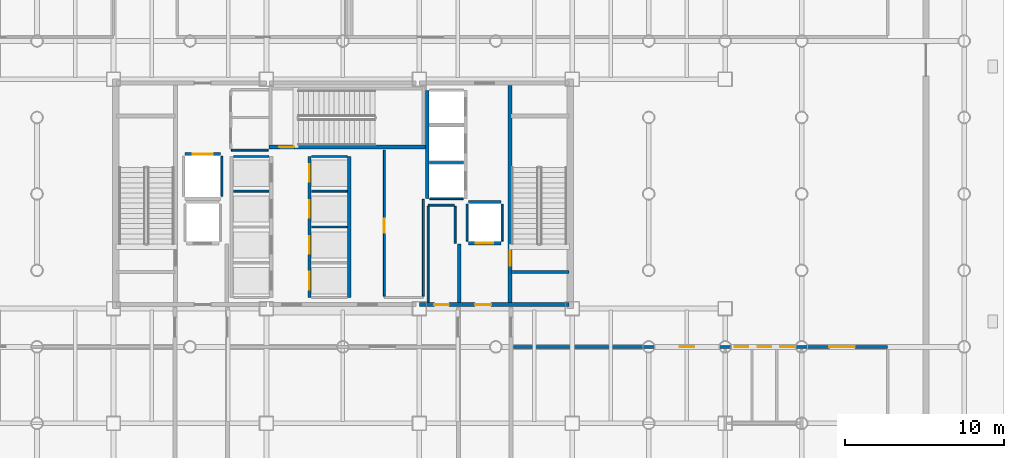
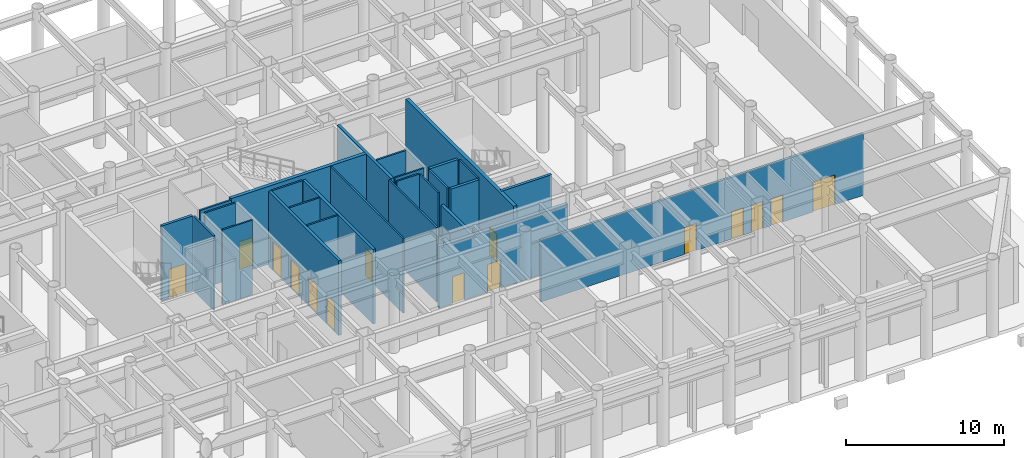
# One storey, part 17 of 23: 28 walls, 16 doors, 16 openings.
"""IFC4 building model written with IfcOpenShell, lengths in metres."""

from ifc_helpers import new_model, si_unit, direction, frame, frame_2d, origin, place, context, subcontext, project, spatial, rectangle, extrude, material, layer, layer_set, type_object, element, fill, save


model = new_model("IFC4")

# Units and contexts
model_context = context("Model", 3, precision=1e-05, world=origin(), true_north=direction((0.0, 1.0)))
body_context = subcontext(model_context, "Body", "Model", "MODEL_VIEW")
ifc_project = project(units=[si_unit("LENGTHUNIT", "METRE"), si_unit("AREAUNIT", "SQUARE_METRE"), si_unit("VOLUMEUNIT", "CUBIC_METRE"), si_unit("PLANEANGLEUNIT", "RADIAN"), si_unit("MASSUNIT", "GRAM", prefix="KILO")], contexts=[model_context])

# Site, building, storey
site_placement = place(None, origin())
site = spatial("IfcSite", under=ifc_project, at=site_placement, CompositionType="ELEMENT")
building_placement = place(site_placement, origin())
building = spatial("IfcBuilding", under=site, at=building_placement, Name="Kallvorn Hotel Tower", CompositionType="ELEMENT")
storey_placement = place(building_placement, origin())
storey = spatial("IfcBuildingStorey", under=building, at=storey_placement, Name="L00", CompositionType="ELEMENT", Elevation=0.0)

# Wall, openings, doors
ifc_material_1 = material(Name="Fire-rated double-layer acoustic gypsum drywall EI 60")
ifc_layer_1 = layer(ifc_material_1, 0.179931640625)
ifc_layer_set_1 = layer_set([ifc_layer_1], Name="WL_CORR_180")
wall_type_1 = type_object("IfcWallType", Name="WL_CORR_180", PredefinedType="PARTITIONING", material=ifc_layer_set_1)
wall_1_placement = place(storey_placement, frame((10.699951171875, -9.60009765625, 0.0), z_axis=(0.0, 0.0, 1.0), x_axis=(1.0, 0.0, 0.0)))
wall_1 = element("IfcWall", 1, at=wall_1_placement, inside=storey, type_object=wall_type_1, Name="L00 South-East Arrival Concierge Foyer Partition", PredefinedType="PARTITIONING", context=body_context, shape_type="SweptSolid", body=[
    extrude(rectangle(XDim=23.5, YDim=0.179931640625, at=frame_2d((11.75, 0.0))), origin(), (0.0, 0.0, 1.0), 4.75),
])
opening_1_placement = place(wall_1_placement, frame((10.449951171875, 0.0, 0.0)))
opening_1 = element("IfcOpeningElement", 2, at=opening_1_placement, cuts=wall_1, Name="Opening SVD1", PredefinedType="OPENING", context=body_context, shape_type="SweptSolid", body=[
    extrude(rectangle(XDim=0.89990234375, YDim=2.10009765625, at=frame_2d((0.449951171875, 1.050048828125))), frame((0.0, 0.104736328125, 0.0), z_axis=(0.0, -1.0, 0.0), x_axis=(1.0, 0.0, 0.0)), (0.0, 0.0, 1.0), 0.2099609375),
])
opening_2_placement = place(wall_1_placement, frame((13.889892578125, 0.0, 0.0)))
opening_2 = element("IfcOpeningElement", 3, at=opening_2_placement, cuts=wall_1, Name="Opening BD-I", PredefinedType="OPENING", context=body_context, shape_type="SweptSolid", body=[
    extrude(rectangle(XDim=0.860107421875, YDim=2.10009765625, at=frame_2d((0.43017578125, 1.050048828125))), frame((0.0, 0.104736328125, 0.0), z_axis=(0.0, -1.0, 0.0), x_axis=(1.0, 0.0, 0.0)), (0.0, 0.0, 1.0), 0.2099609375),
])
opening_3_placement = place(wall_1_placement, frame((15.330078125, 0.0, 0.0)))
opening_3 = element("IfcOpeningElement", 4, at=opening_3_placement, cuts=wall_1, Name="Opening BD-I", PredefinedType="OPENING", context=body_context, shape_type="SweptSolid", body=[
    extrude(rectangle(XDim=0.860107421875, YDim=2.10009765625, at=frame_2d((0.43017578125, 1.050048828125))), frame((0.0, 0.104736328125, 0.0), z_axis=(0.0, -1.0, 0.0), x_axis=(1.0, 0.0, 0.0)), (0.0, 0.0, 1.0), 0.2099609375),
])
opening_4_placement = place(wall_1_placement, frame((16.77001953125, 0.0, 0.0)))
opening_4 = element("IfcOpeningElement", 5, at=opening_4_placement, cuts=wall_1, Name="Opening BD-I", PredefinedType="OPENING", context=body_context, shape_type="SweptSolid", body=[
    extrude(rectangle(XDim=0.860107421875, YDim=2.10009765625, at=frame_2d((0.43017578125, 1.050048828125))), frame((0.0, 0.104736328125, 0.0), z_axis=(0.0, -1.0, 0.0), x_axis=(1.0, 0.0, 0.0)), (0.0, 0.0, 1.0), 0.2099609375),
])
opening_5_placement = place(wall_1_placement, frame((19.8359375, 0.0, 0.0)))
opening_5 = element("IfcOpeningElement", 6, at=opening_5_placement, cuts=wall_1, Name="Opening HD1", PredefinedType="OPENING", context=body_context, shape_type="SweptSolid", body=[
    extrude(rectangle(XDim=1.60009765625, YDim=2.300048828125, at=frame_2d((0.800048828125, 1.14990234375))), frame((0.0, 0.104736328125, 0.0), z_axis=(0.0, -1.0, 0.0), x_axis=(1.0, 0.0, 0.0)), (0.0, 0.0, 1.0), 0.2099609375),
])
ifc_material_2 = material(Name="Solid-core walnut veneer fire-rated timber door leaf", Category="wood")
door_type_1 = type_object("IfcDoorType", Name="DR_BATH_860x2100", OperationType="NOTDEFINED", PredefinedType="DOOR", material=ifc_material_2)
door_1_placement = place(opening_2_placement, origin())
door_1 = element("IfcDoor", 7, at=door_1_placement, inside=storey, type_object=door_type_1, Name="L00 Public Male Restroom WC Door", OperationType="SINGLE_SWING_RIGHT", OverallHeight=2.10009765625, OverallWidth=0.860107421875, PredefinedType="DOOR", context=body_context, shape_type="SweptSolid", body=[
    extrude(rectangle(XDim=0.860107421875, YDim=2.10009765625, at=frame_2d((0.43017578125, 1.050048828125))), frame((0.0, 0.02490234375, 0.0), z_axis=(0.0, -1.0, 0.0), x_axis=(1.0, 0.0, 0.0)), (0.0, 0.0, 1.0), 0.050048828125),
])
fill(opening_2, door_1)
door_2_placement = place(opening_3_placement, origin())
door_2 = element("IfcDoor", 8, at=door_2_placement, inside=storey, type_object=door_type_1, Name="L00 Public Female Restroom WC Door", OperationType="SINGLE_SWING_LEFT", OverallHeight=2.10009765625, OverallWidth=0.860107421875, PredefinedType="DOOR", context=body_context, shape_type="SweptSolid", body=[
    extrude(rectangle(XDim=0.860107421875, YDim=2.10009765625, at=frame_2d((0.43017578125, 1.050048828125))), frame((0.0, 0.02490234375, 0.0), z_axis=(0.0, -1.0, 0.0), x_axis=(1.0, 0.0, 0.0)), (0.0, 0.0, 1.0), 0.050048828125),
])
fill(opening_3, door_2)
door_3_placement = place(opening_4_placement, origin())
door_3 = element("IfcDoor", 9, at=door_3_placement, inside=storey, type_object=door_type_1, Name="L00 Accessible Restroom WC Door", OperationType="SINGLE_SWING_RIGHT", OverallHeight=2.10009765625, OverallWidth=0.860107421875, PredefinedType="DOOR", context=body_context, shape_type="SweptSolid", body=[
    extrude(rectangle(XDim=0.860107421875, YDim=2.10009765625, at=frame_2d((0.43017578125, 1.050048828125))), frame((0.0, 0.02490234375, 0.0), z_axis=(0.0, -1.0, 0.0), x_axis=(1.0, 0.0, 0.0)), (0.0, 0.0, 1.0), 0.050048828125),
])
fill(opening_4, door_3)
ifc_material_3 = material(Name="Solid-core walnut veneer fire-rated timber door leaf", Category="wood")
door_type_2 = type_object("IfcDoorType", Name="DR_HALL_1600x2300", OperationType="DOUBLE_DOOR_SINGLE_SWING", PredefinedType="DOOR", material=ifc_material_3)
door_4_placement = place(opening_5_placement, origin())
door_4 = element("IfcDoor", 10, at=door_4_placement, inside=storey, type_object=door_type_2, Name="L00 South-East Arrival Concierge Foyer Door", OperationType="DOUBLE_DOOR_SINGLE_SWING", OverallHeight=2.300048828125, OverallWidth=1.60009765625, PredefinedType="DOOR", context=body_context, shape_type="SweptSolid", body=[
    extrude(rectangle(XDim=1.60009765625, YDim=2.300048828125, at=frame_2d((0.800048828125, 1.14990234375))), frame((0.0, 0.02490234375, 0.0), z_axis=(0.0, -1.0, 0.0), x_axis=(1.0, 0.0, 0.0)), (0.0, 0.0, 1.0), 0.050048828125),
])
fill(opening_5, door_4)
ifc_material_4 = material(Name="Galvanised painted steel fire-rated door assembly", Category="steel")
door_type_3 = type_object("IfcDoorType", Name="DR_SERV_900x2100", OperationType="NOTDEFINED", PredefinedType="DOOR", material=ifc_material_4)
door_5_placement = place(opening_1_placement, origin())
door_5 = element("IfcDoor", 11, at=door_5_placement, inside=storey, type_object=door_type_3, Name="L00 Luxury Retail Boutique Arcade Door", OperationType="SINGLE_SWING_RIGHT", OverallHeight=2.10009765625, OverallWidth=0.89990234375, PredefinedType="DOOR", context=body_context, shape_type="SweptSolid", body=[
    extrude(rectangle(XDim=0.89990234375, YDim=2.10009765625, at=frame_2d((0.449951171875, 1.050048828125))), frame((0.0, 0.02490234375, 0.0), z_axis=(0.0, -1.0, 0.0), x_axis=(1.0, 0.0, 0.0)), (0.0, 0.0, 1.0), 0.050048828125),
])
fill(opening_1, door_5)

# Walls
ifc_material_5 = material(Name="Concrete C40/50", Category="concrete")
ifc_layer_2 = layer(ifc_material_5, 0.219970703125)
ifc_layer_set_2 = layer_set([ifc_layer_2], Name="WL_FFL_220")
wall_type_2 = type_object("IfcWallType", Name="WL_FFL_220", PredefinedType="SOLIDWALL", material=ifc_layer_set_2)
wall_2_placement = place(storey_placement, frame((7.300048828125, -6.820068359375, 0.0), z_axis=(0.0, 0.0, 1.0), x_axis=(0.0, 1.0, 0.0)))
element("IfcWall", 12, at=wall_2_placement, inside=storey, type_object=wall_type_2, Name="L00 Firefighting Lobby East Divider Wall", PredefinedType="SOLIDWALL", context=body_context, shape_type="SweptSolid", body=[
    extrude(rectangle(XDim=3.670166015625, YDim=0.219970703125, at=frame_2d((1.8349609375, 0.0))), origin(), (0.0, 0.0, 1.0), 4.75),
])
ifc_material_6 = material(Name="Concrete C40/50", Category="concrete")
ifc_layer_3 = layer(ifc_material_6, 0.199951171875)
ifc_layer_set_3 = layer_set([ifc_layer_3], Name="WL_HOIST_200")
wall_type_3 = type_object("IfcWallType", Name="WL_HOIST_200", PredefinedType="SOLIDWALL", material=ifc_layer_set_3)
wall_3_placement = place(storey_placement, frame((10.550048828125, -4.89990234375, -0.25), z_axis=(0.0, 0.0, 1.0), x_axis=(1.0, 0.0, 0.0)))
element("IfcWall", 13, at=wall_3_placement, inside=storey, type_object=wall_type_3, Name="L00 Stair ST2 South Wall", PredefinedType="SOLIDWALL", context=body_context, shape_type="SweptSolid", body=[
    extrude(rectangle(XDim=3.64990234375, YDim=0.199951171875, at=frame_2d((1.824951171875, 0.0))), origin(), (0.0, 0.0, 1.0), 6.0),
])

# Wall, openings, doors
wall_4_placement = place(storey_placement, frame((-2.10009765625, -6.5, 0.0), z_axis=(0.0, 0.0, 1.0), x_axis=(0.0, 1.0, 0.0)))
wall_4 = element("IfcWall", 14, at=wall_4_placement, inside=storey, type_object=wall_type_3, Name="L00 Lift Bank B2 Landing Wall", PredefinedType="SOLIDWALL", context=body_context, shape_type="SweptSolid", body=[
    extrude(rectangle(XDim=8.85009765625, YDim=0.199951171875, at=frame_2d((4.425048828125, 0.0))), origin(), (0.0, 0.0, 1.0), 5.75),
])
opening_6_placement = place(wall_4_placement, frame((0.5, 0.0, 0.0)))
opening_6 = element("IfcOpeningElement", 15, at=opening_6_placement, cuts=wall_4, Name="Opening LD-PL-05", PredefinedType="OPENING", context=body_context, shape_type="SweptSolid", body=[
    extrude(rectangle(XDim=1.10009765625, YDim=2.199951171875, at=frame_2d((0.550048828125, 1.10009765625))), frame((0.0, 0.114990234375, 0.0), z_axis=(0.0, -1.0, 0.0), x_axis=(1.0, 0.0, 0.0)), (0.0, 0.0, 1.0), 0.22998046875),
])
opening_7_placement = place(wall_4_placement, frame((2.75, 0.0, 0.0)))
opening_7 = element("IfcOpeningElement", 16, at=opening_7_placement, cuts=wall_4, Name="Opening LD-PL-06", PredefinedType="OPENING", context=body_context, shape_type="SweptSolid", body=[
    extrude(rectangle(XDim=1.10009765625, YDim=2.199951171875, at=frame_2d((0.550048828125, 1.10009765625))), frame((0.0, 0.114990234375, 0.0), z_axis=(0.0, -1.0, 0.0), x_axis=(1.0, 0.0, 0.0)), (0.0, 0.0, 1.0), 0.22998046875),
])
opening_8_placement = place(wall_4_placement, frame((5.0, 0.0, 0.0)))
opening_8 = element("IfcOpeningElement", 17, at=opening_8_placement, cuts=wall_4, Name="Opening LD-PL-07", PredefinedType="OPENING", context=body_context, shape_type="SweptSolid", body=[
    extrude(rectangle(XDim=1.10009765625, YDim=2.199951171875, at=frame_2d((0.550048828125, 1.10009765625))), frame((0.0, 0.114990234375, 0.0), z_axis=(0.0, -1.0, 0.0), x_axis=(1.0, 0.0, 0.0)), (0.0, 0.0, 1.0), 0.22998046875),
])
opening_9_placement = place(wall_4_placement, frame((7.25, 0.0, 0.0)))
opening_9 = element("IfcOpeningElement", 18, at=opening_9_placement, cuts=wall_4, Name="Opening LD-PL-08", PredefinedType="OPENING", context=body_context, shape_type="SweptSolid", body=[
    extrude(rectangle(XDim=1.10009765625, YDim=2.199951171875, at=frame_2d((0.550048828125, 1.10009765625))), frame((0.0, 0.114990234375, 0.0), z_axis=(0.0, -1.0, 0.0), x_axis=(1.0, 0.0, 0.0)), (0.0, 0.0, 1.0), 0.22998046875),
])
ifc_material_7 = material(Name="Brushed stainless-steel automatic sliding lift landing door", Category="steel")
door_type_4 = type_object("IfcDoorType", Name="LD_PASS_1100x2200", OperationType="SLIDING_TO_LEFT", PredefinedType="DOOR", material=ifc_material_7)
door_6_placement = place(opening_6_placement, origin())
door_6 = element("IfcDoor", 19, at=door_6_placement, inside=storey, type_object=door_type_4, Name="L00 Lift Landing Sliding Door LD-PL-05", OperationType="SLIDING_TO_LEFT", OverallHeight=2.199951171875, OverallWidth=1.10009765625, PredefinedType="DOOR", context=body_context, shape_type="SweptSolid", body=[
    extrude(rectangle(XDim=1.10009765625, YDim=2.199951171875, at=frame_2d((0.550048828125, 1.10009765625))), frame((0.0, 0.02490234375, 0.0), z_axis=(0.0, -1.0, 0.0), x_axis=(1.0, 0.0, 0.0)), (0.0, 0.0, 1.0), 0.050048828125),
])
fill(opening_6, door_6)
door_7_placement = place(opening_7_placement, origin())
door_7 = element("IfcDoor", 20, at=door_7_placement, inside=storey, type_object=door_type_4, Name="L00 Lift Landing Sliding Door LD-PL-06", OperationType="SLIDING_TO_LEFT", OverallHeight=2.199951171875, OverallWidth=1.10009765625, PredefinedType="DOOR", context=body_context, shape_type="SweptSolid", body=[
    extrude(rectangle(XDim=1.10009765625, YDim=2.199951171875, at=frame_2d((0.550048828125, 1.10009765625))), frame((0.0, 0.02490234375, 0.0), z_axis=(0.0, -1.0, 0.0), x_axis=(1.0, 0.0, 0.0)), (0.0, 0.0, 1.0), 0.050048828125),
])
fill(opening_7, door_7)
door_8_placement = place(opening_8_placement, origin())
door_8 = element("IfcDoor", 21, at=door_8_placement, inside=storey, type_object=door_type_4, Name="L00 Lift Landing Sliding Door LD-PL-07", OperationType="SLIDING_TO_LEFT", OverallHeight=2.199951171875, OverallWidth=1.10009765625, PredefinedType="DOOR", context=body_context, shape_type="SweptSolid", body=[
    extrude(rectangle(XDim=1.10009765625, YDim=2.199951171875, at=frame_2d((0.550048828125, 1.10009765625))), frame((0.0, 0.02490234375, 0.0), z_axis=(0.0, -1.0, 0.0), x_axis=(1.0, 0.0, 0.0)), (0.0, 0.0, 1.0), 0.050048828125),
])
fill(opening_8, door_8)
door_9_placement = place(opening_9_placement, origin())
door_9 = element("IfcDoor", 22, at=door_9_placement, inside=storey, type_object=door_type_4, Name="L00 Lift Landing Sliding Door LD-PL-08", OperationType="SLIDING_TO_LEFT", OverallHeight=2.199951171875, OverallWidth=1.10009765625, PredefinedType="DOOR", context=body_context, shape_type="SweptSolid", body=[
    extrude(rectangle(XDim=1.10009765625, YDim=2.199951171875, at=frame_2d((0.550048828125, 1.10009765625))), frame((0.0, 0.02490234375, 0.0), z_axis=(0.0, -1.0, 0.0), x_axis=(1.0, 0.0, 0.0)), (0.0, 0.0, 1.0), 0.050048828125),
])
fill(opening_9, door_9)

# Walls
wall_5_placement = place(storey_placement, frame((0.39990234375, -6.5, 0.0), z_axis=(0.0, 0.0, 1.0), x_axis=(0.0, 1.0, 0.0)))
element("IfcWall", 23, at=wall_5_placement, inside=storey, type_object=wall_type_3, Name="L00 Lift Bank B2 Rear Shaft Wall", PredefinedType="SOLIDWALL", context=body_context, shape_type="SweptSolid", body=[
    extrude(rectangle(XDim=8.85009765625, YDim=0.199951171875, at=frame_2d((4.425048828125, 0.0))), origin(), (0.0, 0.0, 1.0), 5.75),
])
wall_6_placement = place(storey_placement, frame((5.300048828125, -0.300048828125, 0.0), z_axis=(0.0, 0.0, 1.0), x_axis=(0.0, 1.0, 0.0)))
element("IfcWall", 24, at=wall_6_placement, inside=storey, type_object=wall_type_3, Name="L00 Lift Bank OBS Rear Shaft Wall", PredefinedType="SOLIDWALL", context=body_context, shape_type="SweptSolid", body=[
    extrude(rectangle(XDim=6.800048828125, YDim=0.199951171875, at=frame_2d((3.39990234375, 0.0))), origin(), (0.0, 0.0, 1.0), 5.75),
])

# Wall, opening, door
wall_7_placement = place(storey_placement, frame((7.8798828125, -3.10009765625, 0.0), z_axis=(0.0, 0.0, 1.0), x_axis=(1.0, 0.0, 0.0)))
wall_7 = element("IfcWall", 25, at=wall_7_placement, inside=storey, type_object=wall_type_3, Name="L00 FL-2 Landing Wall", PredefinedType="SOLIDWALL", context=body_context, shape_type="SweptSolid", body=[
    extrude(rectangle(XDim=2.0400390625, YDim=0.199951171875, at=frame_2d((1.02001953125, 0.0))), origin(), (0.0, 0.0, 1.0), 5.75),
])
opening_10_placement = place(wall_7_placement, frame((0.469970703125, 0.0, 0.0)))
opening_10 = element("IfcOpeningElement", 26, at=opening_10_placement, cuts=wall_7, Name="Opening LD-FL-2", PredefinedType="OPENING", context=body_context, shape_type="SweptSolid", body=[
    extrude(rectangle(XDim=1.10009765625, YDim=2.199951171875, at=frame_2d((0.550048828125, 1.10009765625))), frame((0.0, 0.114990234375, 0.0), z_axis=(0.0, -1.0, 0.0), x_axis=(1.0, 0.0, 0.0)), (0.0, 0.0, 1.0), 0.22998046875),
])
door_10_placement = place(opening_10_placement, origin())
door_10 = element("IfcDoor", 27, at=door_10_placement, inside=storey, type_object=door_type_4, Name="L00 Lift Landing Sliding Door LD-FL-2", OperationType="SLIDING_TO_LEFT", OverallHeight=2.199951171875, OverallWidth=1.10009765625, PredefinedType="DOOR", context=body_context, shape_type="SweptSolid", body=[
    extrude(rectangle(XDim=1.10009765625, YDim=2.199951171875, at=frame_2d((0.550048828125, 1.10009765625))), frame((0.0, 0.02490234375, 0.0), z_axis=(0.0, -1.0, 0.0), x_axis=(1.0, 0.0, 0.0)), (0.0, 0.0, 1.0), 0.050048828125),
])
fill(opening_10, door_10)

# Wall
wall_8_placement = place(storey_placement, frame((7.8798828125, -0.5, 0.0), z_axis=(0.0, 0.0, 1.0), x_axis=(1.0, 0.0, 0.0)))
element("IfcWall", 28, at=wall_8_placement, inside=storey, type_object=wall_type_3, Name="L00 FL-2 Rear Shaft Wall", PredefinedType="SOLIDWALL", context=body_context, shape_type="SweptSolid", body=[
    extrude(rectangle(XDim=2.0400390625, YDim=0.199951171875, at=frame_2d((1.02001953125, 0.0))), origin(), (0.0, 0.0, 1.0), 5.75),
])

# Wall, opening, door
wall_9_placement = place(storey_placement, frame((-9.919921875, 2.5, 0.0), z_axis=(0.0, 0.0, 1.0), x_axis=(1.0, 0.0, 0.0)))
wall_9 = element("IfcWall", 29, at=wall_9_placement, inside=storey, type_object=wall_type_3, Name="L00 SV-01 Landing Wall", PredefinedType="SOLIDWALL", context=body_context, shape_type="SweptSolid", body=[
    extrude(rectangle(XDim=2.239990234375, YDim=0.199951171875, at=frame_2d((1.1201171875, 0.0))), origin(), (0.0, 0.0, 1.0), 5.75),
])
opening_11_placement = place(wall_9_placement, frame((0.4951171875, 0.0, 0.0)))
opening_11 = element("IfcOpeningElement", 30, at=opening_11_placement, cuts=wall_9, Name="Opening LD-SV-01", PredefinedType="OPENING", context=body_context, shape_type="SweptSolid", body=[
    extrude(rectangle(XDim=1.25, YDim=2.25, at=frame_2d((0.625, 1.125))), frame((0.0, 0.114990234375, 0.0), z_axis=(0.0, -1.0, 0.0), x_axis=(1.0, 0.0, 0.0)), (0.0, 0.0, 1.0), 0.22998046875),
])
ifc_material_8 = material(Name="Brushed stainless-steel automatic sliding lift landing door", Category="steel")
door_type_5 = type_object("IfcDoorType", Name="LD_SERV_1250x2250", OperationType="SLIDING_TO_LEFT", PredefinedType="DOOR", material=ifc_material_8)
door_11_placement = place(opening_11_placement, origin())
door_11 = element("IfcDoor", 31, at=door_11_placement, inside=storey, type_object=door_type_5, Name="L00 Lift Landing Sliding Door LD-SV-01", OperationType="SLIDING_TO_LEFT", OverallHeight=2.25, OverallWidth=1.25, PredefinedType="DOOR", context=body_context, shape_type="SweptSolid", body=[
    extrude(rectangle(XDim=1.25, YDim=2.25, at=frame_2d((0.625, 1.125))), frame((0.0, 0.02490234375, 0.0), z_axis=(0.0, -1.0, 0.0), x_axis=(1.0, 0.0, 0.0)), (0.0, 0.0, 1.0), 0.050048828125),
])
fill(opening_11, door_11)

# Walls
ifc_material_9 = material(Name="Fire-rated double-layer acoustic gypsum drywall EI 60")
ifc_layer_4 = layer(ifc_material_9, 0.1201171875)
ifc_layer_set_4 = layer_set([ifc_layer_4], Name="WL_INT_120")
wall_type_4 = type_object("IfcWallType", Name="WL_INT_120", PredefinedType="PARTITIONING", material=ifc_layer_set_4)
for number, where, z_axis, x_axis, name in (
    (32, (-6.860107421875, 0.175048828125, 0.0), (0.0, 0.0, 1.0), (1.0, 0.0, 0.0), "L00 PL-03 Hoistway Divider"),
    (33, (-6.860107421875, 2.35009765625, 0.0), (0.0, 0.0, 1.0), (1.0, 0.0, 0.0), "L00 PL-04 Hoistway Divider"),
):
    element("IfcWall", number, at=place(storey_placement, frame(where, z_axis=z_axis, x_axis=x_axis)), inside=storey, type_object=wall_type_4, Name=name, PredefinedType="PARTITIONING", context=body_context, shape_type="SweptSolid", body=[
        extrude(rectangle(XDim=2.22021484375, YDim=0.1201171875, at=frame_2d((1.110107421875, 0.0))), origin(), (0.0, 0.0, 1.0), 5.75),
    ])
for number, where, z_axis, x_axis, name in (
    (34, (-1.9599609375, -2.074951171875, 0.0), (0.0, 0.0, 1.0), (1.0, 0.0, 0.0), "L00 PL-06 Hoistway Divider"),
    (35, (-1.9599609375, 0.175048828125, 0.0), (0.0, 0.0, 1.0), (1.0, 0.0, 0.0), "L00 PL-07 Hoistway Divider"),
    (36, (-1.9599609375, 2.35009765625, 0.0), (0.0, 0.0, 1.0), (1.0, 0.0, 0.0), "L00 PL-08 Hoistway Divider"),
):
    element("IfcWall", number, at=place(storey_placement, frame(where, z_axis=z_axis, x_axis=x_axis)), inside=storey, type_object=wall_type_4, Name=name, PredefinedType="PARTITIONING", context=body_context, shape_type="SweptSolid", body=[
        extrude(rectangle(XDim=2.219970703125, YDim=0.1201171875, at=frame_2d((1.10986328125, 0.0))), origin(), (0.0, 0.0, 1.0), 5.75),
    ])
for number, where, z_axis, x_axis, name in (
    (37, (5.43994140625, -0.300048828125, 0.0), (0.0, 0.0, 1.0), (1.0, 0.0, 0.0), "L00 Lift Bank OBS South Closure Wall"),
    (38, (5.43994140625, 1.97509765625, 0.0), (0.0, 0.0, 1.0), (1.0, 0.0, 0.0), "L00 OB-01 Hoistway Divider"),
):
    element("IfcWall", number, at=place(storey_placement, frame(where, z_axis=z_axis, x_axis=x_axis)), inside=storey, type_object=wall_type_4, Name=name, PredefinedType="PARTITIONING", context=body_context, shape_type="SweptSolid", body=[
        extrude(rectangle(XDim=2.1201171875, YDim=0.1201171875, at=frame_2d((1.06005859375, 0.0))), origin(), (0.0, 0.0, 1.0), 5.75),
    ])
for number, where, z_axis, x_axis, name in (
    (39, (7.800048828125, -2.9599609375, 0.0), (0.0, 0.0, 1.0), (0.0, 1.0, 0.0), "L00 FL-2 West Shaft Wall"),
    (40, (10.0, -2.9599609375, 0.0), (0.0, 0.0, 1.0), (0.0, 1.0, 0.0), "L00 FL-2 East Shaft Wall"),
):
    element("IfcWall", number, at=place(storey_placement, frame(where, z_axis=z_axis, x_axis=x_axis)), inside=storey, type_object=wall_type_4, Name=name, PredefinedType="PARTITIONING", context=body_context, shape_type="SweptSolid", body=[
        extrude(rectangle(XDim=2.320068359375, YDim=0.1201171875, at=frame_2d((1.16015625, 0.0))), origin(), (0.0, 0.0, 1.0), 5.75),
    ])
wall_10_placement = place(storey_placement, frame((-7.60009765625, -0.159912109375, 0.0), z_axis=(0.0, 0.0, 1.0), x_axis=(0.0, 1.0, 0.0)))
element("IfcWall", 41, at=wall_10_placement, inside=storey, type_object=wall_type_4, Name="L00 SV-01 East Shaft Wall", PredefinedType="PARTITIONING", context=body_context, shape_type="SweptSolid", body=[
    extrude(rectangle(XDim=2.52001953125, YDim=0.1201171875, at=frame_2d((1.260009765625, 0.0))), origin(), (0.0, 0.0, 1.0), 5.75),
])
wall_11_placement = place(storey_placement, frame((5.35009765625, -0.699951171875, 0.0), z_axis=(0.0, 0.0, 1.0), x_axis=(1.0, 0.0, 0.0)))
element("IfcWall", 42, at=wall_11_placement, inside=storey, type_object=wall_type_4, Name="L00 Core Utility and Meter Room Partition", PredefinedType="PARTITIONING", context=body_context, shape_type="SweptSolid", body=[
    extrude(rectangle(XDim=1.64990234375, YDim=0.1201171875, at=frame_2d((0.824951171875, 0.0))), origin(), (0.0, 0.0, 1.0), 5.75),
])
wall_12_placement = place(storey_placement, frame((-7.0, 2.75, 0.0), z_axis=(0.0, 0.0, 1.0), x_axis=(1.0, 0.0, 0.0)))
element("IfcWall", 43, at=wall_12_placement, inside=storey, type_object=wall_type_4, Name="L00 Core Ice and Vending Pantry Partition", PredefinedType="PARTITIONING", context=body_context, shape_type="SweptSolid", body=[
    extrude(rectangle(XDim=2.31005859375, YDim=0.1201171875, at=frame_2d((1.155029296875, 0.0))), origin(), (0.0, 0.0, 1.0), 5.75),
])

# Wall, opening, door
wall_13_placement = place(storey_placement, frame((2.60009765625, -6.4150390625, 0.0), z_axis=(0.0, 0.0, 1.0), x_axis=(0.0, 1.0, 0.0)))
wall_13 = element("IfcWall", 44, at=wall_13_placement, inside=storey, type_object=wall_type_4, Name="L00 East Core Consolidated Linen and Supply Store Partition", PredefinedType="PARTITIONING", context=body_context, shape_type="SweptSolid", body=[
    extrude(rectangle(XDim=9.1650390625, YDim=0.1201171875, at=frame_2d((4.58251953125, 0.0))), origin(), (0.0, 0.0, 1.0), 5.75),
])
opening_12_placement = place(wall_13_placement, frame((3.965087890625, 0.0, 0.0)))
opening_12 = element("IfcOpeningElement", 45, at=opening_12_placement, cuts=wall_13, Name="Opening SVD1", PredefinedType="OPENING", context=body_context, shape_type="SweptSolid", body=[
    extrude(rectangle(XDim=0.89990234375, YDim=2.10009765625, at=frame_2d((0.449951171875, 1.050048828125))), frame((0.0, 0.074951171875, 0.0), z_axis=(0.0, -1.0, 0.0), x_axis=(1.0, 0.0, 0.0)), (0.0, 0.0, 1.0), 0.150146484375),
])
door_12_placement = place(opening_12_placement, origin())
door_12 = element("IfcDoor", 46, at=door_12_placement, inside=storey, type_object=door_type_3, Name="L00 East Core Consolidated Linen and Supply Store Door", OperationType="SINGLE_SWING_RIGHT", OverallHeight=2.10009765625, OverallWidth=0.89990234375, PredefinedType="DOOR", context=body_context, shape_type="SweptSolid", body=[
    extrude(rectangle(XDim=0.89990234375, YDim=2.10009765625, at=frame_2d((0.449951171875, 1.050048828125))), frame((0.0, 0.02490234375, 0.0), z_axis=(0.0, -1.0, 0.0), x_axis=(1.0, 0.0, 0.0)), (0.0, 0.0, 1.0), 0.050048828125),
])
fill(opening_12, door_12)

# Walls
wall_14_placement = place(storey_placement, frame((5.050048828125, -6.4150390625, 0.0), z_axis=(0.0, 0.0, 1.0), x_axis=(0.0, 1.0, 0.0)))
element("IfcWall", 47, at=wall_14_placement, inside=storey, type_object=wall_type_4, Name="L00 East Core Consolidated Linen and Supply Store Partition", PredefinedType="PARTITIONING", context=body_context, shape_type="SweptSolid", body=[
    extrude(rectangle(XDim=6.074951171875, YDim=0.1201171875, at=frame_2d((3.03759765625, 0.0))), origin(), (0.0, 0.0, 1.0), 5.75),
])
wall_15_placement = place(storey_placement, frame((5.35009765625, -6.800048828125, 0.0), z_axis=(0.0, 0.0, 1.0), x_axis=(0.0, 1.0, 0.0)))
element("IfcWall", 48, at=wall_15_placement, inside=storey, type_object=wall_type_4, Name="L00 Core Utility and Meter Room Partition", PredefinedType="PARTITIONING", context=body_context, shape_type="SweptSolid", body=[
    extrude(rectangle(XDim=6.01513671875, YDim=0.1201171875, at=frame_2d((3.007568359375, 0.0))), origin(), (0.0, 0.0, 1.0), 4.75),
])
wall_16_placement = place(storey_placement, frame((7.050048828125, -3.110107421875, 0.0), z_axis=(0.0, 0.0, 1.0), x_axis=(0.0, 1.0, 0.0)))
element("IfcWall", 49, at=wall_16_placement, inside=storey, type_object=wall_type_4, Name="L00 Core Utility and Meter Room Partition", PredefinedType="PARTITIONING", context=body_context, shape_type="SweptSolid", body=[
    extrude(rectangle(XDim=2.3251953125, YDim=0.1201171875, at=frame_2d((1.16259765625, 0.0))), origin(), (0.0, 0.0, 1.0), 5.75),
])

# Wall, openings, doors
ifc_material_10 = material(Name="Concrete C40/50", Category="concrete")
ifc_layer_5 = layer(ifc_material_10, 0.25)
ifc_layer_set_5 = layer_set([ifc_layer_5], Name="WL_SHAFT_250")
wall_type_5 = type_object("IfcWallType", Name="WL_SHAFT_250", PredefinedType="SOLIDWALL", material=ifc_layer_set_5)
wall_17_placement = place(storey_placement, frame((4.800048828125, -6.949951171875, 0.0), z_axis=(0.0, 0.0, 1.0), x_axis=(1.0, 0.0, 0.0)))
wall_17 = element("IfcWall", 50, at=wall_17_placement, inside=storey, type_object=wall_type_5, Name="L00 Core South-East Wall", PredefinedType="SOLIDWALL", context=body_context, shape_type="SweptSolid", body=[
    extrude(rectangle(XDim=9.39990234375, YDim=0.25, at=frame_2d((4.699951171875, 0.0))), origin(), (0.0, 0.0, 1.0), 4.75),
])
opening_13_placement = place(wall_17_placement, frame((3.5, 0.0, 0.0)))
opening_13 = element("IfcOpeningElement", 51, at=opening_13_placement, cuts=wall_17, Name="Opening FD1", PredefinedType="OPENING", context=body_context, shape_type="SweptSolid", body=[
    extrude(rectangle(XDim=1.0, YDim=2.14990234375, at=frame_2d((0.5, 1.074951171875))), frame((0.0, 0.139892578125, 0.0), z_axis=(0.0, -1.0, 0.0), x_axis=(1.0, 0.0, 0.0)), (0.0, 0.0, 1.0), 0.280029296875),
])
opening_14_placement = place(wall_17_placement, frame((0.949951171875, 0.0, 0.0)))
opening_14 = element("IfcOpeningElement", 52, at=opening_14_placement, cuts=wall_17, Name="Opening SVD1", PredefinedType="OPENING", context=body_context, shape_type="SweptSolid", body=[
    extrude(rectangle(XDim=0.89990234375, YDim=2.10009765625, at=frame_2d((0.449951171875, 1.050048828125))), frame((0.0, 0.139892578125, 0.0), z_axis=(0.0, -1.0, 0.0), x_axis=(1.0, 0.0, 0.0)), (0.0, 0.0, 1.0), 0.280029296875),
])
ifc_material_11 = material(Name="Galvanised painted steel fire-rated door assembly", Category="steel")
door_type_6 = type_object("IfcDoorType", Name="DR_FFL_1000x2150", OperationType="NOTDEFINED", PredefinedType="DOOR", material=ifc_material_11)
door_13_placement = place(opening_13_placement, origin())
door_13 = element("IfcDoor", 53, at=door_13_placement, inside=storey, type_object=door_type_6, Name="L00 Firefighting Lobby East Door", OperationType="SINGLE_SWING_LEFT", OverallHeight=2.14990234375, OverallWidth=1.0, PredefinedType="DOOR", context=body_context, shape_type="SweptSolid", body=[
    extrude(rectangle(XDim=1.0, YDim=2.14990234375, at=frame_2d((0.5, 1.074951171875))), frame((0.0, 0.02490234375, 0.0), z_axis=(0.0, -1.0, 0.0), x_axis=(1.0, 0.0, 0.0)), (0.0, 0.0, 1.0), 0.050048828125),
])
fill(opening_13, door_13)
door_14_placement = place(opening_14_placement, origin())
door_14 = element("IfcDoor", 54, at=door_14_placement, inside=storey, type_object=door_type_3, Name="L00 Core Utility and Meter Room Door", OperationType="SINGLE_SWING_LEFT", OverallHeight=2.10009765625, OverallWidth=0.89990234375, PredefinedType="DOOR", context=body_context, shape_type="SweptSolid", body=[
    extrude(rectangle(XDim=0.89990234375, YDim=2.10009765625, at=frame_2d((0.449951171875, 1.050048828125))), frame((0.0, 0.02490234375, 0.0), z_axis=(0.0, -1.0, 0.0), x_axis=(1.0, 0.0, 0.0)), (0.0, 0.0, 1.0), 0.050048828125),
])
fill(opening_14, door_14)

# Wall, opening, door
wall_18_placement = place(storey_placement, frame((10.5, -6.820068359375, -0.25), z_axis=(0.0, 0.0, 1.0), x_axis=(0.0, 1.0, 0.0)))
wall_18 = element("IfcWall", 55, at=wall_18_placement, inside=storey, type_object=wall_type_5, Name="L00 Stair ST2 Shaft Wall", PredefinedType="SOLIDWALL", context=body_context, shape_type="SweptSolid", body=[
    extrude(rectangle(XDim=13.64013671875, YDim=0.25, at=frame_2d((6.820068359375, 0.0))), origin(), (0.0, 0.0, 1.0), 6.0),
])
opening_15_placement = place(wall_18_placement, frame((2.320068359375, 0.0, 0.25)))
opening_15 = element("IfcOpeningElement", 56, at=opening_15_placement, cuts=wall_18, Name="Opening SD1", PredefinedType="OPENING", context=body_context, shape_type="SweptSolid", body=[
    extrude(rectangle(XDim=0.949951171875, YDim=2.14990234375, at=frame_2d((0.47509765625, 1.074951171875))), frame((0.0, 0.139892578125, 0.0), z_axis=(0.0, -1.0, 0.0), x_axis=(1.0, 0.0, 0.0)), (0.0, 0.0, 1.0), 0.280029296875),
])
ifc_material_12 = material(Name="Galvanised painted steel fire-rated door assembly", Category="steel")
door_type_7 = type_object("IfcDoorType", Name="DR_STAIR_950x2150", OperationType="NOTDEFINED", PredefinedType="DOOR", material=ifc_material_12)
door_15_placement = place(opening_15_placement, origin())
door_15 = element("IfcDoor", 57, at=door_15_placement, inside=storey, type_object=door_type_7, Name="L00 Exit Stair ST2 Fire Door", OperationType="SINGLE_SWING_RIGHT", OverallHeight=2.14990234375, OverallWidth=0.949951171875, PredefinedType="DOOR", context=body_context, shape_type="SweptSolid", body=[
    extrude(rectangle(XDim=0.949951171875, YDim=2.14990234375, at=frame_2d((0.47509765625, 1.074951171875))), frame((0.0, 0.02490234375, 0.0), z_axis=(0.0, -1.0, 0.0), x_axis=(1.0, 0.0, 0.0)), (0.0, 0.0, 1.0), 0.050048828125),
])
fill(opening_15, door_15)

wall_19_placement = place(storey_placement, frame((-4.64990234375, 2.949951171875, -0.25), z_axis=(0.0, 0.0, 1.0), x_axis=(1.0, 0.0, 0.0)))
wall_19 = element("IfcWall", 58, at=wall_19_placement, inside=storey, type_object=wall_type_5, Name="L00 Stair ST3 Shaft South Wall", PredefinedType="SOLIDWALL", context=body_context, shape_type="SweptSolid", body=[
    extrude(rectangle(XDim=9.89990234375, YDim=0.25, at=frame_2d((4.949951171875, 0.0))), origin(), (0.0, 0.0, 1.0), 6.0),
])
opening_16_placement = place(wall_19_placement, frame((0.64990234375, 0.0, 0.25)))
opening_16 = element("IfcOpeningElement", 59, at=opening_16_placement, cuts=wall_19, Name="Opening SD1", PredefinedType="OPENING", context=body_context, shape_type="SweptSolid", body=[
    extrude(rectangle(XDim=0.949951171875, YDim=2.14990234375, at=frame_2d((0.47509765625, 1.074951171875))), frame((0.0, 0.139892578125, 0.0), z_axis=(0.0, -1.0, 0.0), x_axis=(1.0, 0.0, 0.0)), (0.0, 0.0, 1.0), 0.280029296875),
])
door_16_placement = place(opening_16_placement, origin())
door_16 = element("IfcDoor", 60, at=door_16_placement, inside=storey, type_object=door_type_7, Name="L00 Exit Stair ST3 Fire Door", OperationType="SINGLE_SWING_RIGHT", OverallHeight=2.14990234375, OverallWidth=0.949951171875, PredefinedType="DOOR", context=body_context, shape_type="SweptSolid", body=[
    extrude(rectangle(XDim=0.949951171875, YDim=2.14990234375, at=frame_2d((0.47509765625, 1.074951171875))), frame((0.0, 0.02490234375, 0.0), z_axis=(0.0, -1.0, 0.0), x_axis=(1.0, 0.0, 0.0)), (0.0, 0.0, 1.0), 0.050048828125),
])
fill(opening_16, door_16)

save(model, "model.ifc")
